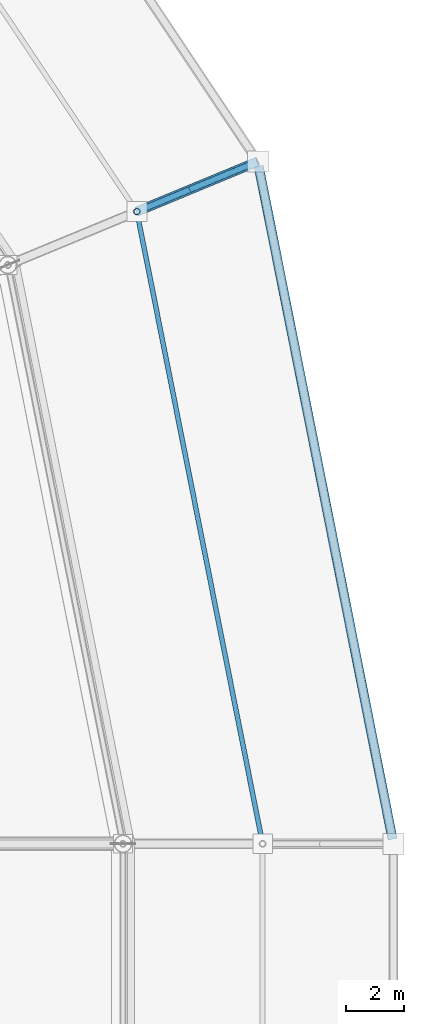
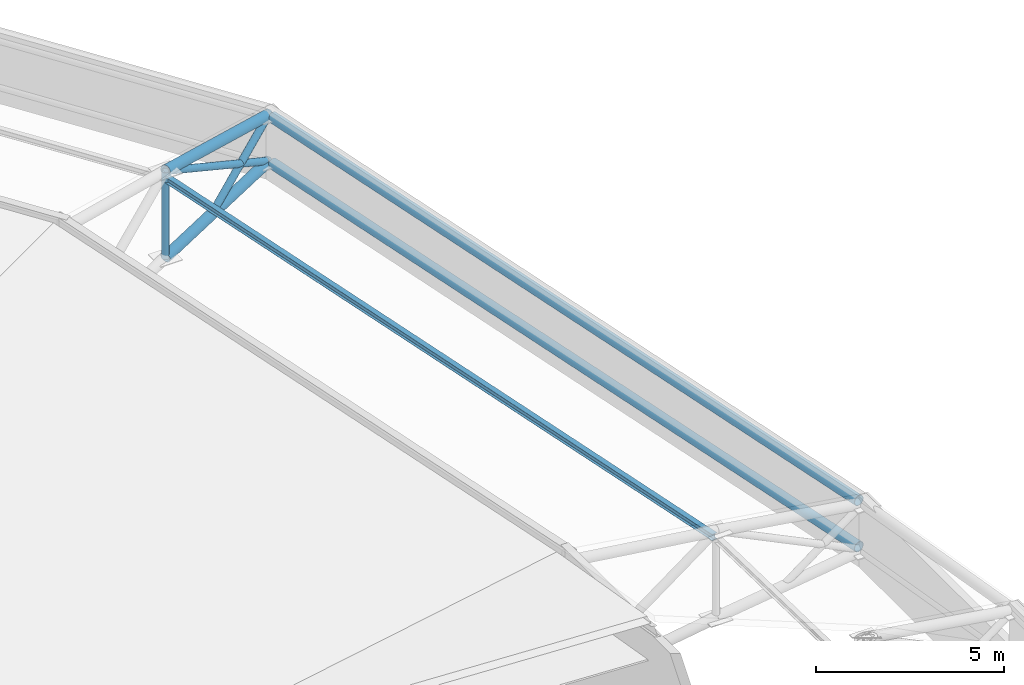
# One storey, part 87 of 146: 8 members.
"""IFC4 building model written with IfcOpenShell, lengths in metres."""

from ifc_helpers import new_model, si_unit, direction, frame, origin, origin_2d, place, context, subcontext, project, spatial, hollow_circle, i_section, extrude, material, material_profile, profile_set, type_object, element, save


model = new_model("IFC4")

# Units and contexts
model_context = context("Model", 3, precision=1e-05, world=origin(), true_north=direction((0.0, 1.0)))
body_context = subcontext(model_context, "Body", "Model", "MODEL_VIEW")
ifc_project = project(units=[si_unit("LENGTHUNIT", "METRE"), si_unit("AREAUNIT", "SQUARE_METRE"), si_unit("VOLUMEUNIT", "CUBIC_METRE"), si_unit("PLANEANGLEUNIT", "RADIAN"), si_unit("MASSUNIT", "GRAM", prefix="KILO")], contexts=[model_context])

# Site, building, storey
site_placement = place(None, origin())
site = spatial("IfcSite", under=ifc_project, at=site_placement, CompositionType="ELEMENT")
building_placement = place(site_placement, origin())
building = spatial("IfcBuilding", under=site, at=building_placement, Name="Candeia Ridge Stadium", CompositionType="ELEMENT")
storey_placement = place(building_placement, frame((0.0, 0.0, 31.800048828125)))
storey = spatial("IfcBuildingStorey", under=building, at=storey_placement, Name="RF", CompositionType="ELEMENT", Elevation=31.800048828125)

# Members
ifc_material = material(Name="Steel ASTM A572 Grade 50", Category="steel")
ifc_material_profile_1 = material_profile(ifc_material, i_section(OverallWidth=0.1650390625, OverallDepth=0.200927734375, WebThickness=0.006103515625, FlangeThickness=0.01025390625, FilletRadius=0.010009765625, at=origin_2d()), Name="W200x35.9", Category="steel")
ifc_profile_set_1 = profile_set([ifc_material_profile_1], Name="Steel ASTM A572 Grade 50")
member_type_1 = type_object("IfcMemberType", Name="Roof Purlin W200x35.9", PredefinedType="PURLIN", material=ifc_profile_set_1)
member_1_placement = place(storey_placement, frame((197.790283203125, 95.049072265625, 3.73828125), z_axis=(-0.195092429325, 0.980784861231, 0.0), x_axis=(-0.980784861231, -0.195092429325, 0.0)))
element("IfcMember", 1, at=member_1_placement, inside=storey, type_object=member_type_1, Name="Saddle roof steel purlin bay 33-5", PredefinedType="PURLIN", context=body_context, shape_type="SweptSolid", body=[
    extrude(i_section(OverallWidth=0.1650390625, OverallDepth=0.200927734375, WebThickness=0.006103515625, FlangeThickness=0.01025390625, FilletRadius=0.010009765625, at=origin_2d()), origin(), (0.0, 0.0, 1.0), 22.062255859375),
])
ifc_material_profile_2 = material_profile(ifc_material, hollow_circle(Radius=0.161865234375, WallThickness=0.012451171875, at=origin_2d()), Name="CHS323x12", Category="steel")
ifc_profile_set_2 = profile_set([ifc_material_profile_2], Name="Steel ASTM A572 Grade 50")
member_type_2 = type_object("IfcMemberType", Name="Roof Truss Eaves Chord CHS323x12", PredefinedType="CHORD", material=ifc_profile_set_2)
for number, where, z_axis, x_axis, name in (
    (2, (202.268798828125, 95.156982421875, 3.281005859375), (-0.195091392584, 0.980785067453, 0.0), (-0.980785067453, -0.195091392584, 0.0), "Saddle roof outer eaves top ring chord bay 33"),
    (3, (202.268798828125, 95.156982421875, 1.781005859375), (-0.195091392584, 0.980785067453, 0.0), (-0.980785067453, -0.195091392584, 0.0), "Saddle roof outer eaves bottom ring chord bay 33"),
):
    element("IfcMember", number, at=place(storey_placement, frame(where, z_axis=z_axis, x_axis=x_axis)), inside=storey, type_object=member_type_2, Name=name, PredefinedType="CHORD", context=body_context, shape_type="SweptSolid", body=[
        extrude(hollow_circle(Radius=0.161865234375, WallThickness=0.012451171875, at=origin_2d()), origin(), (0.0, 0.0, 1.0), 23.597900390625),
    ])
member_2_placement = place(storey_placement, frame((193.476318359375, 116.736328125, 3.958251953125), z_axis=(0.913584487427, 0.378438250885, -0.148821620067), x_axis=(-0.382699975578, 0.923872679915, 0.0)))
element("IfcMember", 4, at=member_2_placement, inside=storey, type_object=member_type_2, Name="Roof cantilever truss RT-34 top chord 8", PredefinedType="CHORD", context=body_context, shape_type="SweptSolid", body=[
    extrude(hollow_circle(Radius=0.161865234375, WallThickness=0.012451171875, at=origin_2d()), origin(), (0.0, 0.0, 1.0), 4.55078125),
])
member_3_placement = place(storey_placement, frame((193.476318359375, 116.736328125, 1.15185546875), z_axis=(0.914973571928, 0.379013657665, 0.138463027474), x_axis=(-0.382699975578, 0.923872679915, 0.0)))
element("IfcMember", 5, at=member_3_placement, inside=storey, type_object=member_type_2, Name="Roof cantilever truss RT-34 bottom chord 8", PredefinedType="CHORD", context=body_context, shape_type="SweptSolid", body=[
    extrude(hollow_circle(Radius=0.161865234375, WallThickness=0.012451171875, at=origin_2d()), origin(), (0.0, 0.0, 1.0), 4.543701171875),
])
ifc_material_profile_3 = material_profile(ifc_material, hollow_circle(Radius=0.109619140625, WallThickness=0.010009765625, at=origin_2d()), Name="CHS219x10", Category="steel")
ifc_profile_set_3 = profile_set([ifc_material_profile_3], Name="Steel ASTM A572 Grade 50")
member_type_3 = type_object("IfcMemberType", Name="Roof Truss Inner Web Brace CHS219x10", PredefinedType="BRACE", material=ifc_profile_set_3)
member_4_placement = place(storey_placement, frame((193.476318359375, 116.736328125, 3.958251953125), z_axis=(0.831646749952, 0.344496809804, -0.435529139472), x_axis=(-0.382699975578, 0.923872679915, 0.0)))
element("IfcMember", 6, at=member_4_placement, inside=storey, type_object=member_type_3, Name="Roof cantilever truss RT-34 diagonal web 8", PredefinedType="BRACE", context=body_context, shape_type="SweptSolid", body=[
    extrude(hollow_circle(Radius=0.109619140625, WallThickness=0.010009765625, at=origin_2d()), origin(), (0.0, 0.0, 1.0), 4.9990234375),
])
member_5_placement = place(storey_placement, frame((193.476318359375, 116.736328125, 1.15185546875), z_axis=(0.0, 0.0, 1.0), x_axis=(1.0, 0.0, 0.0)))
element("IfcMember", 7, at=member_5_placement, inside=storey, type_object=member_type_3, Name="Roof cantilever truss RT-34 vertical post 7", PredefinedType="BRACE", context=body_context, shape_type="SweptSolid", body=[
    extrude(hollow_circle(Radius=0.109619140625, WallThickness=0.010009765625, at=origin_2d()), origin(), (0.0, 0.0, 1.0), 2.806396484375),
])
member_6_placement = place(storey_placement, frame((195.34716796875, 117.511474609375, 1.43505859375), z_axis=(0.740592396504, 0.306721963062, 0.597866657054), x_axis=(-0.382639293348, 0.923897814256, 0.0)))
element("IfcMember", 8, at=member_6_placement, inside=storey, type_object=member_type_3, Name="Roof cantilever truss RT-34 vertical post 8", PredefinedType="BRACE", context=body_context, shape_type="SweptSolid", body=[
    extrude(hollow_circle(Radius=0.109619140625, WallThickness=0.010009765625, at=origin_2d()), origin(), (0.0, 0.0, 1.0), 3.087646484375),
])

save(model, "model.ifc")
